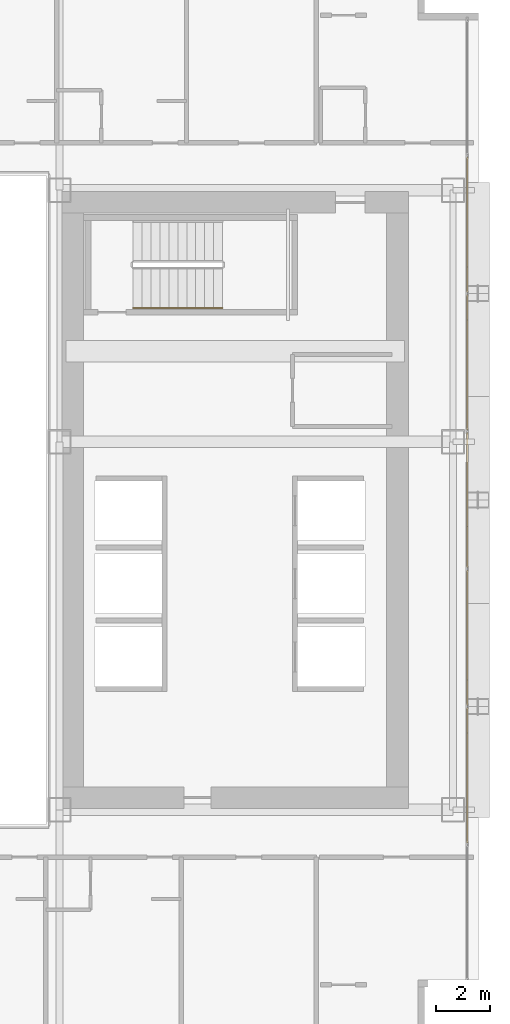
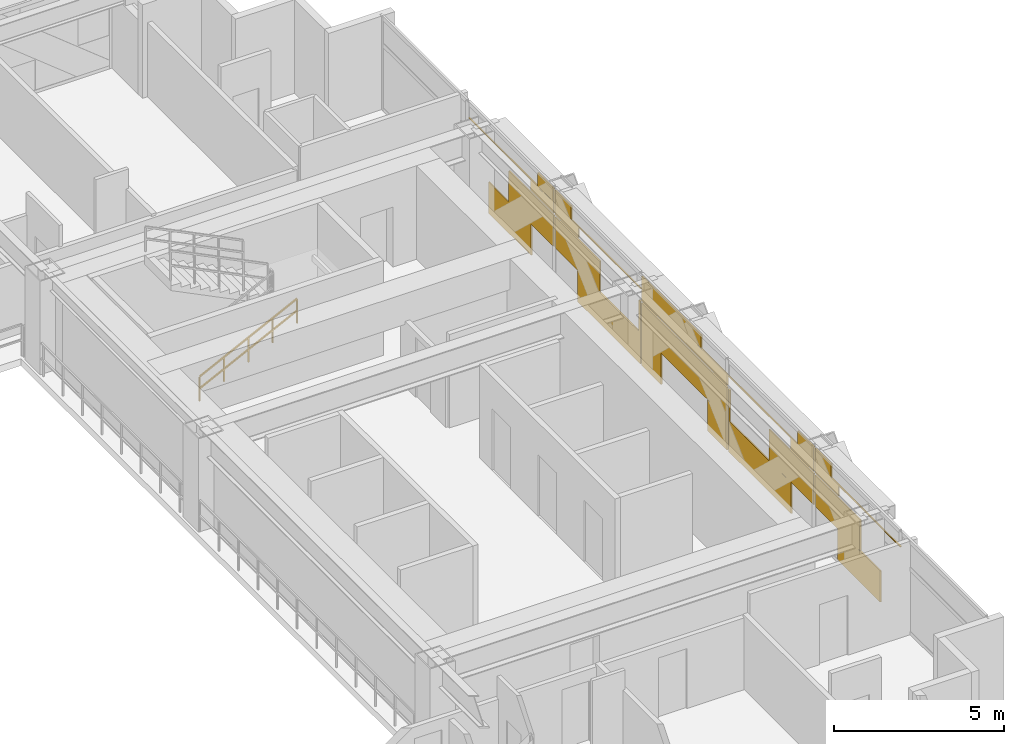
# One storey, part 34 of 35: 1 covering, 1 railing.
"""IFC4 building model written with IfcOpenShell, lengths in metres."""

import ifcopenshell
import ifcopenshell.guid

model = None  # the IFC model being written
_history = None  # IfcOwnerHistory: only IFC2X3 demands one
_inside = {}  # id of a spatial element -> (the spatial element, [elements in it])
_under = {}  # id of a project, library or spatial element -> (it, [spatial elements below it])
_declared = {}  # id of a project -> (the project, [libraries it declares])
_typed = {}  # id of a type object -> (the type object, [elements of that type])
_made_of = {}  # id of a material, layer set ... -> (it, [elements and type objects made of it])


def new_model(schema):
    """Start an empty IFC model of exactly this schema.

    Asked for "IFC4X3", IfcOpenShell would pick the latest addendum, in which some entities
    have other attributes; the version numbers below select the first issue.
    IFC2X3 requires an IfcOwnerHistory on every rooted entity: one is made here for all.
    """
    global model, _history
    if schema == "IFC4X3":
        model = ifcopenshell.file(schema_version=(4, 3, 0, 0))
    else:
        model = ifcopenshell.file(schema=schema)
    _inside.clear()
    _under.clear()
    _declared.clear()
    _typed.clear()
    _made_of.clear()
    _history = None
    if model.schema == "IFC2X3":
        org = make("IfcOrganization", Name="unknown")
        user = make(
            "IfcPersonAndOrganization",
            ThePerson=make("IfcPerson", FamilyName="unknown"),
            TheOrganization=org,
        )
        app = make(
            "IfcApplication",
            ApplicationDeveloper=org,
            Version="unknown",
            ApplicationFullName="unknown",
            ApplicationIdentifier="unknown",
        )
        _history = make(
            "IfcOwnerHistory",
            OwningUser=user,
            OwningApplication=app,
            ChangeAction="ADDED",
            CreationDate=0,
        )
    return model


def make(cls, **values):
    """One entity of the class cls with the attributes given. An attribute that is None is left unset."""
    return model.create_entity(
        cls, **{name: value for name, value in values.items() if value is not None}
    )


def rooted(cls, **values):
    """An entity with a GlobalId (a new one), such as an element, a storey or a relation."""
    return make(cls, GlobalId=ifcopenshell.guid.new(), OwnerHistory=_history, **values)


def si_unit(unit_type, name, prefix=None):
    """IfcSIUnit, for example si_unit("LENGTHUNIT", "METRE", prefix="MILLI")."""
    return make("IfcSIUnit", UnitType=unit_type, Prefix=prefix, Name=name)


def assignment(units):
    """IfcUnitAssignment: the units of a project."""
    return None if units is None else make("IfcUnitAssignment", Units=units)


def point(xyz):
    """IfcCartesianPoint."""
    return None if xyz is None else make("IfcCartesianPoint", Coordinates=xyz)


def direction(xyz):
    """IfcDirection."""
    return None if xyz is None else make("IfcDirection", DirectionRatios=xyz)


def frame(location, z_axis=None, x_axis=None):
    """IfcAxis2Placement3D, a coordinate frame: its origin and axes. An axis left out is left unset."""
    return make(
        "IfcAxis2Placement3D",
        Location=point(location),
        Axis=direction(z_axis),
        RefDirection=direction(x_axis),
    )


def frame_2d(location, x_axis=None):
    """IfcAxis2Placement2D, a coordinate frame in the plane: its origin and x axis."""
    return make(
        "IfcAxis2Placement2D", Location=point(location), RefDirection=direction(x_axis)
    )


def origin():
    """The frame at (0, 0, 0) with its axes left unset."""
    return frame((0.0, 0.0, 0.0))


def origin_2d():
    """The frame at (0, 0) in the plane with its x axis left unset."""
    return frame_2d((0.0, 0.0))


def place(relative_to, where):
    """IfcLocalPlacement: puts the frame where relative to a parent placement (None: the world)."""
    return make(
        "IfcLocalPlacement", PlacementRelTo=relative_to, RelativePlacement=where
    )


def context(
    kind, dimensions, precision=None, world=None, true_north=None, identifier=None
):
    """IfcGeometricRepresentationContext, for example the 3D "Model" context."""
    return make(
        "IfcGeometricRepresentationContext",
        ContextIdentifier=identifier,
        ContextType=kind,
        CoordinateSpaceDimension=dimensions,
        Precision=precision,
        WorldCoordinateSystem=world,
        TrueNorth=true_north,
    )


def subcontext(parent, identifier, kind, view, scale=None):
    """IfcGeometricRepresentationSubContext, for example "Body" below "Model"."""
    return make(
        "IfcGeometricRepresentationSubContext",
        ContextIdentifier=identifier,
        ContextType=kind,
        ParentContext=parent,
        TargetScale=scale,
        TargetView=view,
    )


def project(units=None, contexts=None):
    """IfcProject with its units and contexts."""
    return rooted(
        "IfcProject",
        Name="project",
        RepresentationContexts=contexts,
        UnitsInContext=assignment(units),
    )


def spatial(cls, under=None, at=None, **own):
    """A site, building, storey or space (cls), placed at a placement, below another one or the project."""
    s = rooted(cls, ObjectPlacement=at, **own)
    if under is not None:
        _under.setdefault(under.id(), (under, []))[1].append(s)
    return s


def profile(cls, at=None, kind="AREA", **sizes):
    """A parametric profile (cls). Its sizes go by their IFC names, for example OverallWidth=200.0."""
    return make(cls, ProfileType=kind, Position=at, **sizes)


def rectangle(**sizes):
    """IfcRectangleProfileDef."""
    return profile("IfcRectangleProfileDef", **sizes)


def extrude(swept, where, along, depth):
    """IfcExtrudedAreaSolid: the profile swept, set in the frame where, extruded along a direction by depth."""
    return make(
        "IfcExtrudedAreaSolid",
        SweptArea=swept,
        Position=where,
        ExtrudedDirection=direction(along),
        Depth=depth,
    )


def shape(context_of_items, identifier, shape_type, items):
    """IfcShapeRepresentation: the items that make up one representation, for example the "Body"."""
    return make(
        "IfcShapeRepresentation",
        ContextOfItems=context_of_items,
        RepresentationIdentifier=identifier,
        RepresentationType=shape_type,
        Items=items,
    )


def material(Name=None, Category=None):
    """IfcMaterial."""
    return make("IfcMaterial", Name=Name, Category=Category)


def layer(
    of_material, thickness, ventilated=None, Name=None, Category=None, Priority=None
):
    """IfcMaterialLayer: one layer of a wall or slab, of a material (None: an air gap)."""
    return make(
        "IfcMaterialLayer",
        Material=of_material,
        LayerThickness=thickness,
        IsVentilated=ventilated,
        Name=Name,
        Category=Category,
        Priority=Priority,
    )


def layer_set(layers, Name=None):
    """IfcMaterialLayerSet."""
    return make("IfcMaterialLayerSet", MaterialLayers=layers, LayerSetName=Name)


def made_of(thing, what):
    """Note that an element or type object is made of a material, layer set ...; save() writes the relation."""
    if what is not None:
        _made_of.setdefault(what.id(), (what, []))[1].append(thing)
    return thing


def type_object(cls, material=None, **own):
    """A type object (cls), such as IfcWallType, which elements share."""
    return made_of(rooted(cls, **own), material)


def element(
    cls,
    number,
    at=None,
    inside=None,
    cuts=None,
    type_object=None,
    material=None,
    context=None,
    identifier="Body",
    shape_type=None,
    held_by="IfcProductDefinitionShape",
    body=None,
    shapes=None,
    **own,
):
    """One element of the class cls, such as IfcWall. Its Tag is "e" and its number.

    at: its placement. inside: the storey or other place that contains it. cuts: it is an
    opening in that element (IfcRelVoidsElement). A single representation is given by context,
    identifier, shape_type and body (its items); several are given by shapes. held_by: the class
    of the entity that holds the representations. save() writes the other relations.
    """
    e = rooted(cls, Tag="e%d" % number, ObjectPlacement=at, **own)
    if body is not None:
        shapes = [shape(context, identifier, shape_type, body)]
    if shapes is not None:
        e.Representation = make(held_by, Representations=shapes)
    if inside is not None:
        _inside.setdefault(inside.id(), (inside, []))[1].append(e)
    if cuts is not None:
        rooted(
            "IfcRelVoidsElement", RelatingBuildingElement=cuts, RelatedOpeningElement=e
        )
    if type_object is not None:
        _typed.setdefault(type_object.id(), (type_object, []))[1].append(e)
    return made_of(e, material)


def aggregate(whole, parts):
    """IfcRelAggregates: a whole, such as a stair, and the parts it consists of."""
    return rooted("IfcRelAggregates", RelatingObject=whole, RelatedObjects=parts)


def save(model, path):
    """Write the relations noted so far, then the file.

    IfcRelAggregates (storeys below a building ...), IfcRelContainedInSpatialStructure (elements
    in a storey), IfcRelDefinesByType, IfcRelAssociatesMaterial and IfcRelDeclares: one each for
    every whole, place, type object, material and project.
    """
    for whole, parts in _under.values():
        aggregate(whole, parts)
    for where, things in _inside.values():
        rooted(
            "IfcRelContainedInSpatialStructure",
            RelatedElements=things,
            RelatingStructure=where,
        )
    for kind, things in _typed.values():
        rooted("IfcRelDefinesByType", RelatedObjects=things, RelatingType=kind)
    for what, things in _made_of.values():
        rooted("IfcRelAssociatesMaterial", RelatedObjects=things, RelatingMaterial=what)
    for by, libraries in _declared.values():
        rooted("IfcRelDeclares", RelatingContext=by, RelatedDefinitions=libraries)
    model.write(path)


model = new_model("IFC4")

# Units and contexts
model_context = context("Model", 3, precision=1e-05, world=origin(), true_north=direction((0.0, 1.0)))
body_context = subcontext(model_context, "Body", "Model", "MODEL_VIEW")
ifc_project = project(units=[si_unit("LENGTHUNIT", "METRE"), si_unit("AREAUNIT", "SQUARE_METRE"), si_unit("VOLUMEUNIT", "CUBIC_METRE"), si_unit("PLANEANGLEUNIT", "RADIAN"), si_unit("MASSUNIT", "GRAM", prefix="KILO")], contexts=[model_context])

# Site, building, storey
site_placement = place(None, origin())
site = spatial("IfcSite", under=ifc_project, at=site_placement, CompositionType="ELEMENT")
building_placement = place(site_placement, origin())
building = spatial("IfcBuilding", under=site, at=building_placement, Name="Ocotamira Hotel", CompositionType="ELEMENT")
storey_placement = place(building_placement, frame((0.0, 0.0, 70.800048828125)))
storey = spatial("IfcBuildingStorey", under=building, at=storey_placement, Name="L17", CompositionType="ELEMENT", Elevation=70.800048828125)

# Covering
ifc_material_1 = material(Name="Insulated pale-metal aluminium spandrel panel", Category="aluminium")
ifc_layer = layer(ifc_material_1, 0.044921875)
ifc_layer_set = layer_set([ifc_layer], Name="Insulated pale-metal aluminium spandrel panel")
covering_type = type_object("IfcCoveringType", Name="COV-INFILL-45", PredefinedType="CLADDING", material=ifc_layer_set)
covering_placement = place(storey_placement, origin())
element("IfcCovering", 1, at=covering_placement, inside=storey, type_object=covering_type, Name="L17 Curtain Wall Infill CW-2 CW-L17-E", PredefinedType="CLADDING", context=body_context, shape_type="SweptSolid", body=[
    extrude(rectangle(XDim=2.49658203125, YDim=0.044921875, at=origin_2d()), frame((55.580078125, 15.752685546875, 0.0751953125), z_axis=(0.0, 0.0, 1.0), x_axis=(0.0, 1.0, 0.0)), (0.0, 0.0, 1.0), 1.117919921875),
    extrude(rectangle(XDim=2.640625, YDim=0.044921875, at=origin_2d()), frame((55.580078125, 17.010498046875, 1.194091796875), z_axis=(0.0, 0.0, 1.0), x_axis=(0.0, 1.0, 0.0)), (0.0, 0.0, 1.0), 1.11767578125),
    extrude(rectangle(XDim=5.004638671875, YDim=0.044921875, at=origin_2d()), frame((55.580078125, 15.82861328125, 2.755859375), z_axis=(0.0, 0.0, 1.0), x_axis=(0.0, 1.0, 0.0)), (0.0, 0.0, 1.0), 0.033203125),
    extrude(rectangle(XDim=1.375, YDim=0.044921875, at=origin_2d()), frame((55.580078125, 17.643310546875, 2.38818359375), z_axis=(0.0, 0.0, 1.0), x_axis=(0.0, 1.0, 0.0)), (0.0, 0.0, 1.0), 0.366943359375),
    extrude(rectangle(XDim=0.948486328125, YDim=0.044921875, at=origin_2d()), frame((55.580078125, 17.856689453125, 2.79052734375), z_axis=(0.0, 0.0, 1.0), x_axis=(0.0, 1.0, 0.0)), (0.0, 0.0, 1.0), 0.484130859375),
    extrude(rectangle(XDim=2.631103515625, YDim=0.044921875, at=origin_2d()), frame((55.580078125, 19.727294921875, 1.194091796875), z_axis=(0.0, 0.0, 1.0), x_axis=(0.0, 1.0, 0.0)), (0.0, 0.0, 1.0), 1.11767578125),
    extrude(rectangle(XDim=3.684326171875, YDim=0.044921875, at=origin_2d()), frame((55.580078125, 21.574462890625, 0.0751953125), z_axis=(0.0, 0.0, 1.0), x_axis=(0.0, 1.0, 0.0)), (0.0, 0.0, 1.0), 1.117919921875),
    extrude(rectangle(XDim=0.093017578125, YDim=0.044921875, at=origin_2d()), frame((55.580078125, 23.3701171875, 1.194091796875), z_axis=(0.0, 0.0, 1.0), x_axis=(0.0, 1.0, 0.0)), (0.0, 0.0, 1.0), 1.11767578125),
    extrude(rectangle(XDim=1.365478515625, YDim=0.044921875, at=origin_2d()), frame((55.580078125, 19.094482421875, 2.38818359375), z_axis=(0.0, 0.0, 1.0), x_axis=(0.0, 1.0, 0.0)), (0.0, 0.0, 1.0), 0.366943359375),
    extrude(rectangle(XDim=5.004638671875, YDim=0.044921875, at=origin_2d()), frame((55.580078125, 20.914306640625, 2.755859375), z_axis=(0.0, 0.0, 1.0), x_axis=(0.0, 1.0, 0.0)), (0.0, 0.0, 1.0), 0.033203125),
    extrude(rectangle(XDim=0.93896484375, YDim=0.044921875, at=origin_2d()), frame((55.580078125, 18.88134765625, 2.79052734375), z_axis=(0.0, 0.0, 1.0), x_axis=(0.0, 1.0, 0.0)), (0.0, 0.0, 1.0), 0.484130859375),
    extrude(rectangle(XDim=1.13671875, YDim=0.044921875, at=origin_2d()), frame((55.580078125, 24.06591796875, 0.0751953125), z_axis=(0.0, 0.0, 1.0), x_axis=(0.0, 1.0, 0.0)), (0.0, 0.0, 1.0), 1.117919921875),
    extrude(rectangle(XDim=5.004638671875, YDim=0.044921875, at=origin_2d()), frame((55.580078125, 26.0, 1.194091796875), z_axis=(0.0, 0.0, 1.0), x_axis=(0.0, 1.0, 0.0)), (0.0, 0.0, 1.0), 1.11767578125),
    extrude(rectangle(XDim=1.13671875, YDim=0.044921875, at=origin_2d()), frame((55.580078125, 27.93408203125, 0.0751953125), z_axis=(0.0, 0.0, 1.0), x_axis=(0.0, 1.0, 0.0)), (0.0, 0.0, 1.0), 1.117919921875),
    extrude(rectangle(XDim=5.004638671875, YDim=0.044921875, at=origin_2d()), frame((55.580078125, 26.0, 2.387939453125), z_axis=(0.0, 0.0, 1.0), x_axis=(0.0, 1.0, 0.0)), (0.0, 0.0, 1.0), 0.4013671875),
    extrude(rectangle(XDim=3.486572265625, YDim=0.044921875, at=origin_2d()), frame((55.580078125, 26.759033203125, 2.79052734375), z_axis=(0.0, 0.0, 1.0), x_axis=(0.0, 1.0, 0.0)), (0.0, 0.0, 1.0), 0.484130859375),
    extrude(rectangle(XDim=3.684326171875, YDim=0.044921875, at=origin_2d()), frame((55.580078125, 30.425537109375, 0.0751953125), z_axis=(0.0, 0.0, 1.0), x_axis=(0.0, 1.0, 0.0)), (0.0, 0.0, 1.0), 1.117919921875),
    extrude(rectangle(XDim=0.093017578125, YDim=0.044921875, at=origin_2d()), frame((55.580078125, 28.6298828125, 1.194091796875), z_axis=(0.0, 0.0, 1.0), x_axis=(0.0, 1.0, 0.0)), (0.0, 0.0, 1.0), 1.11767578125),
    extrude(rectangle(XDim=2.631103515625, YDim=0.044921875, at=origin_2d()), frame((55.580078125, 32.272705078125, 1.194091796875), z_axis=(0.0, 0.0, 1.0), x_axis=(0.0, 1.0, 0.0)), (0.0, 0.0, 1.0), 1.11767578125),
    extrude(rectangle(XDim=5.004638671875, YDim=0.044921875, at=origin_2d()), frame((55.580078125, 31.085693359375, 2.755859375), z_axis=(0.0, 0.0, 1.0), x_axis=(0.0, 1.0, 0.0)), (0.0, 0.0, 1.0), 0.033203125),
    extrude(rectangle(XDim=1.365478515625, YDim=0.044921875, at=origin_2d()), frame((55.580078125, 32.905517578125, 2.38818359375), z_axis=(0.0, 0.0, 1.0), x_axis=(0.0, 1.0, 0.0)), (0.0, 0.0, 1.0), 0.366943359375),
    extrude(rectangle(XDim=0.93896484375, YDim=0.044921875, at=origin_2d()), frame((55.580078125, 33.11865234375, 2.79052734375), z_axis=(0.0, 0.0, 1.0), x_axis=(0.0, 1.0, 0.0)), (0.0, 0.0, 1.0), 0.484130859375),
    extrude(rectangle(XDim=2.640625, YDim=0.044921875, at=origin_2d()), frame((55.580078125, 34.989501953125, 1.194091796875), z_axis=(0.0, 0.0, 1.0), x_axis=(0.0, 1.0, 0.0)), (0.0, 0.0, 1.0), 1.11767578125),
    extrude(rectangle(XDim=2.49658203125, YDim=0.044921875, at=origin_2d()), frame((55.580078125, 36.247314453125, 0.0751953125), z_axis=(0.0, 0.0, 1.0), x_axis=(0.0, 1.0, 0.0)), (0.0, 0.0, 1.0), 1.117919921875),
    extrude(rectangle(XDim=1.375, YDim=0.044921875, at=origin_2d()), frame((55.580078125, 34.356689453125, 2.38818359375), z_axis=(0.0, 0.0, 1.0), x_axis=(0.0, 1.0, 0.0)), (0.0, 0.0, 1.0), 0.366943359375),
    extrude(rectangle(XDim=5.004638671875, YDim=0.044921875, at=origin_2d()), frame((55.580078125, 36.17138671875, 2.755859375), z_axis=(0.0, 0.0, 1.0), x_axis=(0.0, 1.0, 0.0)), (0.0, 0.0, 1.0), 0.033203125),
    extrude(rectangle(XDim=0.948486328125, YDim=0.044921875, at=origin_2d()), frame((55.580078125, 34.143310546875, 2.79052734375), z_axis=(0.0, 0.0, 1.0), x_axis=(0.0, 1.0, 0.0)), (0.0, 0.0, 1.0), 0.484130859375),
])

# Railing
ifc_material_2 = material(Name="Brushed stainless steel handrail", Category="steel")
railing_type = type_object("IfcRailingType", Name="RL-HAND-900", PredefinedType="HANDRAIL", material=ifc_material_2)
railing_placement = place(storey_placement, frame((43.22998046875, 33.10009765625, 0.3271484375)))
element("IfcRailing", 2, at=railing_placement, inside=storey, type_object=railing_type, Name="L17 ST-4 stair handrail 1", PredefinedType="HANDRAIL", context=body_context, shape_type="SweptSolid", body=[
    extrude(rectangle(XDim=0.048095703125, YDim=0.048095703125, at=origin_2d()), frame((0.0, 0.0, 0.8759765625), z_axis=(0.895893744519, 0.0, 0.4442683857), x_axis=(0.0, 1.0, 0.0)), (0.0, 0.0, 1.0), 3.68359375),
    extrude(rectangle(XDim=0.048095703125, YDim=0.048095703125, at=origin_2d()), frame((0.0, 0.0, 0.449951171875), z_axis=(0.895893744519, 0.0, 0.4442683857), x_axis=(0.0, 1.0, 0.0)), (0.0, 0.0, 1.0), 3.68359375),
    extrude(rectangle(XDim=0.0419921875, YDim=0.0419921875, at=origin_2d()), origin(), (0.0, 0.0, 1.0), 0.851806640625),
    extrude(rectangle(XDim=0.0419921875, YDim=0.0419921875, at=origin_2d()), frame((0.824951171875, 0.0, 0.4091796875)), (0.0, 0.0, 1.0), 0.851806640625),
    extrude(rectangle(XDim=0.0419921875, YDim=0.0419921875, at=origin_2d()), frame((1.64990234375, 0.0, 0.818359375)), (0.0, 0.0, 1.0), 0.851806640625),
    extrude(rectangle(XDim=0.0419921875, YDim=0.0419921875, at=origin_2d()), frame((2.47509765625, 0.0, 1.227294921875)), (0.0, 0.0, 1.0), 0.851806640625),
    extrude(rectangle(XDim=0.0419921875, YDim=0.0419921875, at=origin_2d()), frame((3.300048828125, 0.0, 1.636474609375)), (0.0, 0.0, 1.0), 0.851806640625),
])

save(model, "model.ifc")
